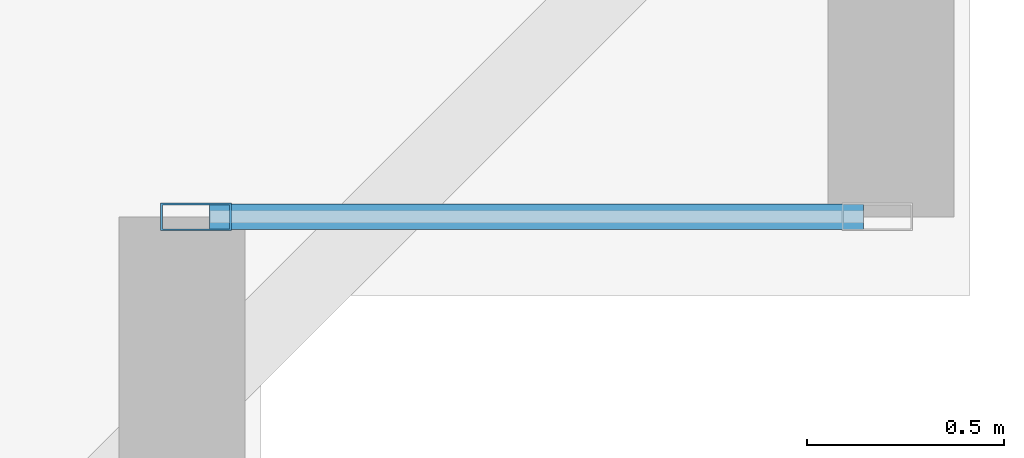
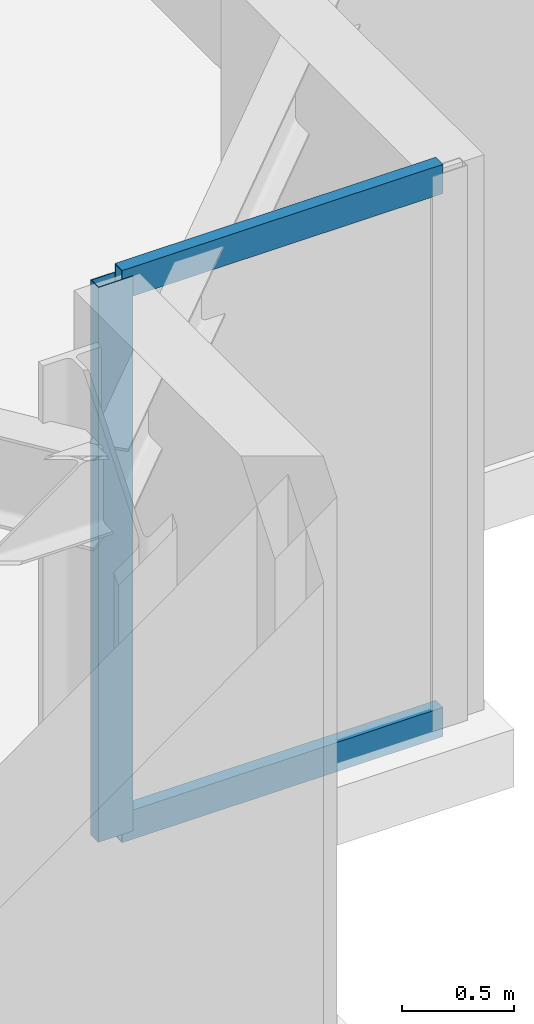
# One storey, part 6 of 20: 3 members, 1 element without a shape of its own.
"""IFC4 building model written with IfcOpenShell, lengths in metres."""

from ifc_helpers import new_model, si_unit, direction, frame, origin, origin_2d, place, context, subcontext, project, spatial, hollow_rectangle, extrude, material, layer, layer_set, material_profile, profile_set, type_object, element, aggregate, save


model = new_model("IFC4")

# Units and contexts
model_context = context("Model", 3, precision=1e-05, world=origin(), true_north=direction((0.0, 1.0)))
body_context = subcontext(model_context, "Body", "Model", "MODEL_VIEW")
ifc_project = project(units=[si_unit("LENGTHUNIT", "METRE"), si_unit("AREAUNIT", "SQUARE_METRE"), si_unit("VOLUMEUNIT", "CUBIC_METRE"), si_unit("PLANEANGLEUNIT", "RADIAN"), si_unit("MASSUNIT", "GRAM", prefix="KILO")], contexts=[model_context])

# Site, building, storey
site_placement = place(None, origin())
site = spatial("IfcSite", under=ifc_project, at=site_placement, CompositionType="ELEMENT")
building_placement = place(site_placement, origin())
building = spatial("IfcBuilding", under=site, at=building_placement, Name="Qobustan Lattice House", CompositionType="ELEMENT")
storey_placement = place(building_placement, frame((0.0, 0.0, 63.85009765625)))
storey = spatial("IfcBuildingStorey", under=building, at=storey_placement, Name="L17", CompositionType="ELEMENT", Elevation=63.85009765625)

# Curtain wall, members
ifc_material_1 = material(Name="Anodised aluminium and low-E glazing", Category="aluminium")
ifc_layer = layer(ifc_material_1, 0.219970703125)
ifc_layer_set = layer_set([ifc_layer], Name="Anodised aluminium and low-E glazing")
curtain_wall_type = type_object("IfcCurtainWallType", Name="CW-FAC-01", PredefinedType="USERDEFINED", material=ifc_layer_set)
curtain_wall_placement = place(storey_placement, origin())
curtain_wall = element("IfcCurtainWall", 1, at=curtain_wall_placement, inside=storey, type_object=curtain_wall_type, Name="L17 serrated corner faceted glazing 18", ObjectType="CURTAIN WALL", PredefinedType="USERDEFINED")
ifc_material_2 = material(Name="Anodised aluminium EN AW-6063 T6", Category="aluminium")
ifc_material_profile_1 = material_profile(ifc_material_2, hollow_rectangle(XDim=0.070068359375, YDim=0.179931640625, WallThickness=0.00439453125, at=origin_2d()), Name="CWM-180x70")
ifc_profile_set_1 = profile_set([ifc_material_profile_1], Name="Anodised aluminium EN AW-6063 T6")
member_type_1 = type_object("IfcMemberType", Name="CWM-STD-180", PredefinedType="MULLION", material=ifc_profile_set_1)
member_1_placement = place(storey_placement, frame((29.235107421875, -17.60009765625, 0.0), z_axis=(0.0, 0.0, 1.0), x_axis=(0.0, -1.0, 0.0)))
member_1 = element("IfcMember", 2, at=member_1_placement, type_object=member_type_1, Name="CW-F1 mullion 2", PredefinedType="MULLION", context=body_context, shape_type="SweptSolid", body=[
    extrude(hollow_rectangle(XDim=0.070068359375, YDim=0.179931640625, WallThickness=0.00439453125, at=origin_2d()), origin(), (0.0, 0.0, 1.0), 3.034912109375),
])
ifc_material_3 = material(Name="Anodised aluminium EN AW-6063 T6", Category="aluminium")
ifc_material_profile_2 = material_profile(ifc_material_3, hollow_rectangle(XDim=0.06494140625, YDim=0.159912109375, WallThickness=0.00390625, at=origin_2d()), Name="CWT-160x65")
ifc_profile_set_2 = profile_set([ifc_material_profile_2], Name="Anodised aluminium EN AW-6063 T6")
member_type_2 = type_object("IfcMemberType", Name="CWT-HOR-160", PredefinedType="USERDEFINED", material=ifc_profile_set_2)
member_2_placement = place(storey_placement, frame((30.929931640625, -17.60009765625, 0.032470703125), z_axis=(-1.0, 0.0, 0.0), x_axis=(0.0, -1.0, 0.0)))
member_2 = element("IfcMember", 3, at=member_2_placement, type_object=member_type_2, Name="CW-F1 transom 1.1", ObjectType="TRANSOM", PredefinedType="USERDEFINED", context=body_context, shape_type="SweptSolid", body=[
    extrude(hollow_rectangle(XDim=0.06494140625, YDim=0.159912109375, WallThickness=0.00390625, at=origin_2d()), origin(), (0.0, 0.0, 1.0), 1.659912109375),
])
member_3_placement = place(storey_placement, frame((30.929931640625, -17.60009765625, 3.00244140625), z_axis=(-1.0, 0.0, 0.0), x_axis=(0.0, -1.0, 0.0)))
member_3 = element("IfcMember", 4, at=member_3_placement, type_object=member_type_2, Name="CW-F1 transom 1.2", ObjectType="TRANSOM", PredefinedType="USERDEFINED", context=body_context, shape_type="SweptSolid", body=[
    extrude(hollow_rectangle(XDim=0.06494140625, YDim=0.159912109375, WallThickness=0.00390625, at=origin_2d()), origin(), (0.0, 0.0, 1.0), 1.659912109375),
])
aggregate(curtain_wall, [member_1, member_2, member_3])

save(model, "model.ifc")
